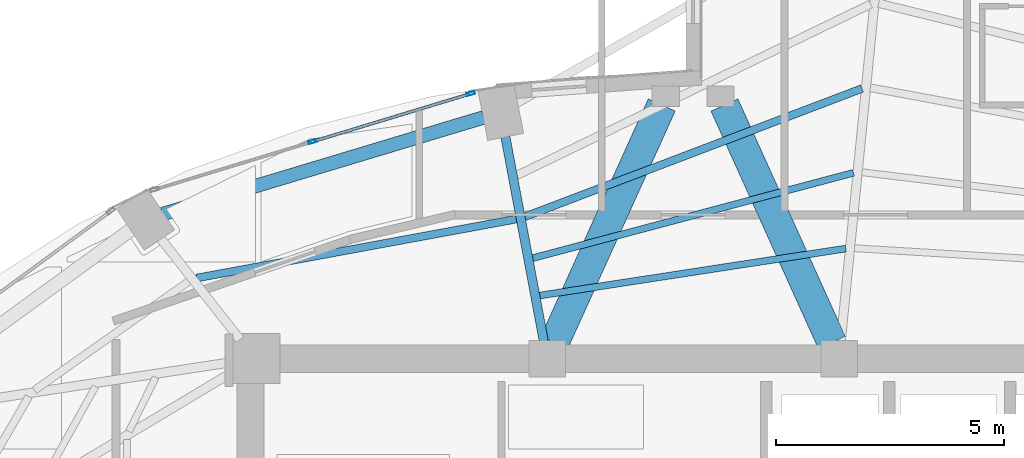
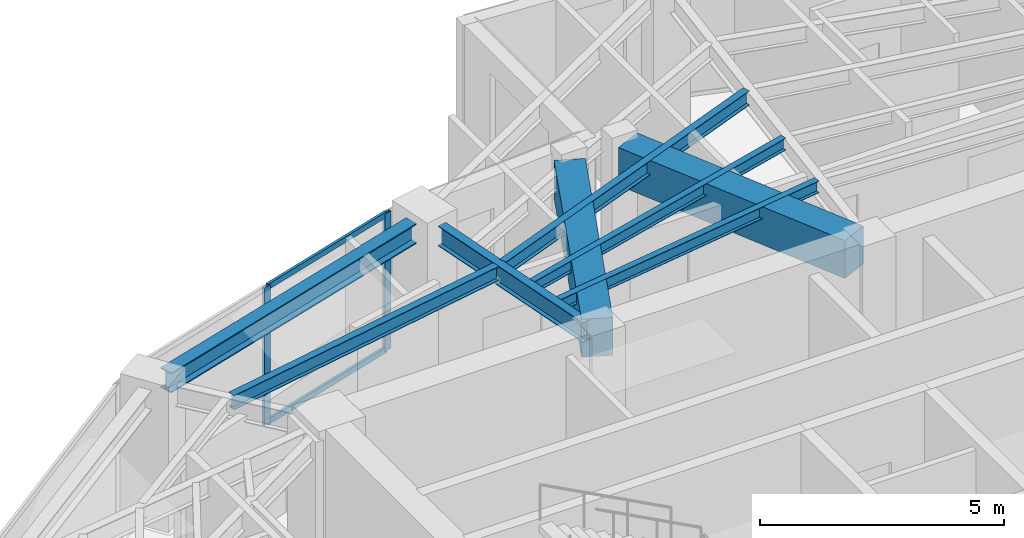
# One storey, part 11 of 23: 8 beams, 4 members, 1 element without a shape of its own.
"""IFC4 building model written with IfcOpenShell, lengths in metres."""

from ifc_helpers import new_model, si_unit, direction, frame, origin, origin_2d, place, context, subcontext, project, spatial, rectangle, hollow_rectangle, i_section, extrude, material, layer, layer_set, material_profile, profile_set, type_object, element, aggregate, save


model = new_model("IFC4")

# Units and contexts
model_context = context("Model", 3, precision=1e-05, world=origin(), true_north=direction((0.0, 1.0)))
body_context = subcontext(model_context, "Body", "Model", "MODEL_VIEW")
ifc_project = project(units=[si_unit("LENGTHUNIT", "METRE"), si_unit("AREAUNIT", "SQUARE_METRE"), si_unit("VOLUMEUNIT", "CUBIC_METRE"), si_unit("PLANEANGLEUNIT", "RADIAN"), si_unit("MASSUNIT", "GRAM", prefix="KILO")], contexts=[model_context])

# Site, building, storey
site_placement = place(None, origin())
site = spatial("IfcSite", under=ifc_project, at=site_placement, CompositionType="ELEMENT")
building_placement = place(site_placement, origin())
building = spatial("IfcBuilding", under=site, at=building_placement, Name="Lazwardi Medical Tower", CompositionType="ELEMENT")
storey_placement = place(building_placement, frame((0.0, 0.0, 202.1279296875)))
storey = spatial("IfcBuildingStorey", under=building, at=storey_placement, Name="L52", CompositionType="ELEMENT", Elevation=202.1279296875)

# Beams
ifc_material_1 = material(Name="Concrete C60/75", Category="concrete")
ifc_material_profile_1 = material_profile(ifc_material_1, rectangle(XDim=0.64990234375, YDim=0.949951171875, at=origin_2d()), Name="RC 650x950")
ifc_profile_set_1 = profile_set([ifc_material_profile_1], Name="Concrete C60/75")
beam_type_1 = type_object("IfcBeamType", Name="BM-CB-RC2", PredefinedType="LINTEL", material=ifc_profile_set_1)
for number, where, z_axis, x_axis, name in (
    (1, (32.95849609375, 35.95068359375, 2.97314453125), (0.412019279944, 0.911175127489, 0.0), (-0.911175127489, 0.412019279944, 0.0), "Core coupling lintel CB-02 PL1 L52"),
    (2, (39.04150390625, 35.95068359375, 2.97314453125), (-0.412019279944, 0.911175127489, 0.0), (-0.911175127489, -0.412019279944, 0.0), "Core coupling lintel CB-02 PL2 L52"),
):
    element("IfcBeam", number, at=place(storey_placement, frame(where, z_axis=z_axis, x_axis=x_axis)), inside=storey, type_object=beam_type_1, Name=name, PredefinedType="LINTEL", context=body_context, shape_type="SweptSolid", body=[
        extrude(rectangle(XDim=0.64990234375, YDim=0.949951171875, at=origin_2d()), origin(), (0.0, 0.0, 1.0), 5.7158203125),
    ])
ifc_material_2 = material(Name="Steel S355", Category="steel")
ifc_material_profile_2 = material_profile(ifc_material_2, i_section(OverallWidth=0.300048828125, OverallDepth=0.5, WebThickness=0.014404296875, FlangeThickness=0.028076171875, at=origin_2d()), Name="HEB 500")
ifc_profile_set_2 = profile_set([ifc_material_profile_2], Name="Steel S355")
beam_type_2 = type_object("IfcBeamType", Name="BM-RB-Z4", PredefinedType="BEAM", material=ifc_profile_set_2)
beam_1_placement = place(storey_placement, frame((31.41259765625, 40.885986328125, 3.197998046875), z_axis=(-0.957544311906, -0.288286126506, 0.0), x_axis=(0.288286126506, -0.957544311906, 0.0)))
element("IfcBeam", 3, at=beam_1_placement, inside=storey, type_object=beam_type_2, Name="Ring beam RB-05 B09 L52", PredefinedType="BEAM", context=body_context, shape_type="SweptSolid", body=[
    extrude(i_section(OverallWidth=0.300048828125, OverallDepth=0.5, WebThickness=0.014404296875, FlangeThickness=0.028076171875, at=origin_2d()), origin(), (0.0, 0.0, 1.0), 7.3515625),
])
ifc_material_profile_3 = material_profile(ifc_material_2, i_section(OverallWidth=0.199951171875, OverallDepth=0.5, WebThickness=0.01025390625, FlangeThickness=0.01611328125, at=origin_2d()), Name="IPE 500")
ifc_profile_set_3 = profile_set([ifc_material_profile_3], Name="Steel S355")
beam_type_3 = type_object("IfcBeamType", Name="BM-RG-W3", PredefinedType="BEAM", material=ifc_profile_set_3)
beam_2_placement = place(storey_placement, frame((31.884765625, 40.472412109375, 3.197998046875), z_axis=(0.184633463507, -0.982807450192, 0.0), x_axis=(0.982807450192, 0.184633463507, 0.0)))
element("IfcBeam", 4, at=beam_2_placement, inside=storey, type_object=beam_type_3, Name="Radial girder RG-04 R09 L52", PredefinedType="BEAM", context=body_context, shape_type="SweptSolid", body=[
    extrude(i_section(OverallWidth=0.199951171875, OverallDepth=0.5, WebThickness=0.01025390625, FlangeThickness=0.01611328125, at=origin_2d()), origin(), (0.0, 0.0, 1.0), 4.572509765625),
])
ifc_material_profile_4 = material_profile(ifc_material_2, i_section(OverallWidth=0.169921875, OverallDepth=0.360107421875, WebThickness=0.008056640625, FlangeThickness=0.0126953125, at=origin_2d()), Name="IPE 360")
ifc_profile_set_4 = profile_set([ifc_material_profile_4], Name="Steel S355")
beam_type_4 = type_object("IfcBeamType", Name="BM-SJ-02", PredefinedType="JOIST", material=ifc_profile_set_4)
beam_3_placement = place(storey_placement, frame((39.703125, 41.51904296875, 3.26806640625), z_axis=(-0.934714470268, -0.355399576633, 0.0), x_axis=(0.355399576633, -0.934714470268, 0.0)))
element("IfcBeam", 5, at=beam_3_placement, inside=storey, type_object=beam_type_4, Name="Secondary joist SJ-02 R2 B08 L52", PredefinedType="JOIST", context=body_context, shape_type="SweptSolid", body=[
    extrude(i_section(OverallWidth=0.169921875, OverallDepth=0.360107421875, WebThickness=0.008056640625, FlangeThickness=0.0126953125, at=origin_2d()), origin(), (0.0, 0.0, 1.0), 7.908203125),
])
beam_4_placement = place(storey_placement, frame((32.12890625, 38.65771484375, 3.26806640625), z_axis=(-0.983427965623, -0.181299300688, 0.0), x_axis=(0.181299300688, -0.983427965623, 0.0)))
element("IfcBeam", 6, at=beam_4_placement, inside=storey, type_object=beam_type_4, Name="Secondary joist SJ-02 R2 B09 L52", PredefinedType="JOIST", context=body_context, shape_type="SweptSolid", body=[
    extrude(i_section(OverallWidth=0.169921875, OverallDepth=0.360107421875, WebThickness=0.008056640625, FlangeThickness=0.0126953125, at=origin_2d()), origin(), (0.0, 0.0, 1.0), 7.127685546875),
])
ifc_material_profile_5 = material_profile(ifc_material_2, i_section(OverallWidth=0.14990234375, OverallDepth=0.300048828125, WebThickness=0.007080078125, FlangeThickness=0.0107421875, at=origin_2d()), Name="IPE 300")
ifc_profile_set_5 = profile_set([ifc_material_profile_5], Name="Steel S355")
beam_type_5 = type_object("IfcBeamType", Name="BM-SJ-03", PredefinedType="JOIST", material=ifc_profile_set_5)
beam_5_placement = place(storey_placement, frame((39.515380859375, 39.671875, 3.298095703125), z_axis=(-0.966369007826, -0.257159368316, 0.0), x_axis=(0.257159368316, -0.966369007826, 0.0)))
element("IfcBeam", 7, at=beam_5_placement, inside=storey, type_object=beam_type_5, Name="Secondary joist SJ-03 R3 B08 L52", PredefinedType="JOIST", context=body_context, shape_type="SweptSolid", body=[
    extrude(i_section(OverallWidth=0.14990234375, OverallDepth=0.300048828125, WebThickness=0.007080078125, FlangeThickness=0.0107421875, at=origin_2d()), origin(), (0.0, 0.0, 1.0), 7.27685546875),
])
beam_6_placement = place(storey_placement, frame((39.347412109375, 38.010986328125, 3.298095703125), z_axis=(-0.988433562862, -0.151654514629, 0.0), x_axis=(0.151654514629, -0.988433562862, 0.0)))
element("IfcBeam", 8, at=beam_6_placement, inside=storey, type_object=beam_type_5, Name="Secondary joist SJ-03 R4 B08 L52", PredefinedType="JOIST", context=body_context, shape_type="SweptSolid", body=[
    extrude(i_section(OverallWidth=0.14990234375, OverallDepth=0.300048828125, WebThickness=0.007080078125, FlangeThickness=0.0107421875, at=origin_2d()), origin(), (0.0, 0.0, 1.0), 6.788818359375),
])

# Curtain wall, members
ifc_material_3 = material(Name="Anodised bronze aluminium and solar control glazing", Category="aluminium")
ifc_layer = layer(ifc_material_3, 0.18994140625)
ifc_layer_set = layer_set([ifc_layer], Name="Anodised bronze aluminium and solar control glazing")
curtain_wall_type = type_object("IfcCurtainWallType", Name="CW-SYS-04", PredefinedType="NOTDEFINED", material=ifc_layer_set)
curtain_wall_placement = place(storey_placement, origin())
curtain_wall = element("IfcCurtainWall", 9, at=curtain_wall_placement, inside=storey, type_object=curtain_wall_type, Name="L52 Unitised bronze curtain wall CW-04", PredefinedType="NOTDEFINED")
ifc_material_4 = material(Name="Anodised bronze aluminium", Category="aluminium")
ifc_material_profile_6 = material_profile(ifc_material_4, hollow_rectangle(XDim=0.06494140625, YDim=0.179931640625, WallThickness=0.00390625, at=origin_2d()), Name="ALU-MULLION 180x65x4")
ifc_profile_set_6 = profile_set([ifc_material_profile_6], Name="Anodised bronze aluminium")
member_type_1 = type_object("IfcMemberType", Name="CW-MUL-03", PredefinedType="MULLION", material=ifc_profile_set_6)
member_1_placement = place(storey_placement, frame((31.126953125, 41.406982421875, 0.0), z_axis=(0.0, 0.0, 1.0), x_axis=(0.290581889515, -0.956850126972, 0.0)))
member_1 = element("IfcMember", 10, at=member_1_placement, type_object=member_type_1, Name="CW-04 mullion 1", PredefinedType="MULLION", context=body_context, shape_type="SweptSolid", body=[
    extrude(hollow_rectangle(XDim=0.06494140625, YDim=0.179931640625, WallThickness=0.00390625, at=origin_2d()), origin(), (0.0, 0.0, 1.0), 3.447998046875),
])
member_2_placement = place(storey_placement, frame((27.66357421875, 40.355224609375, 0.0), z_axis=(0.0, 0.0, 1.0), x_axis=(0.290581889515, -0.956850126972, 0.0)))
member_2 = element("IfcMember", 11, at=member_2_placement, type_object=member_type_1, Name="CW-04 mullion 2", PredefinedType="MULLION", context=body_context, shape_type="SweptSolid", body=[
    extrude(hollow_rectangle(XDim=0.06494140625, YDim=0.179931640625, WallThickness=0.00390625, at=origin_2d()), origin(), (0.0, 0.0, 1.0), 3.447998046875),
])
ifc_material_profile_7 = material_profile(ifc_material_4, hollow_rectangle(XDim=0.06494140625, YDim=0.139892578125, WallThickness=0.00341796875, at=origin_2d()), Name="ALU-TRANSOM 140x65x3.5")
ifc_profile_set_7 = profile_set([ifc_material_profile_7], Name="Anodised bronze aluminium")
member_type_2 = type_object("IfcMemberType", Name="CW-TRN-03", PredefinedType="USERDEFINED", material=ifc_profile_set_7)
member_3_placement = place(storey_placement, frame((31.095703125, 41.397705078125, 0.032470703125), z_axis=(-0.956843409009, -0.290604010015, 0.0), x_axis=(0.290604010015, -0.956843409009, 0.0)))
member_3 = element("IfcMember", 12, at=member_3_placement, type_object=member_type_2, Name="CW-04 transom 1.1", ObjectType="TRANSOM", PredefinedType="USERDEFINED", context=body_context, shape_type="SweptSolid", body=[
    extrude(hollow_rectangle(XDim=0.06494140625, YDim=0.139892578125, WallThickness=0.00341796875, at=origin_2d()), origin(), (0.0, 0.0, 1.0), 3.554443359375),
])
member_4_placement = place(storey_placement, frame((31.095703125, 41.397705078125, 3.41552734375), z_axis=(-0.956843409009, -0.290604010015, 0.0), x_axis=(0.290604010015, -0.956843409009, 0.0)))
member_4 = element("IfcMember", 13, at=member_4_placement, type_object=member_type_2, Name="CW-04 transom 1.2", ObjectType="TRANSOM", PredefinedType="USERDEFINED", context=body_context, shape_type="SweptSolid", body=[
    extrude(hollow_rectangle(XDim=0.06494140625, YDim=0.139892578125, WallThickness=0.00341796875, at=origin_2d()), origin(), (0.0, 0.0, 1.0), 3.554443359375),
])
aggregate(curtain_wall, [member_1, member_2, member_3, member_4])

save(model, "model.ifc")
